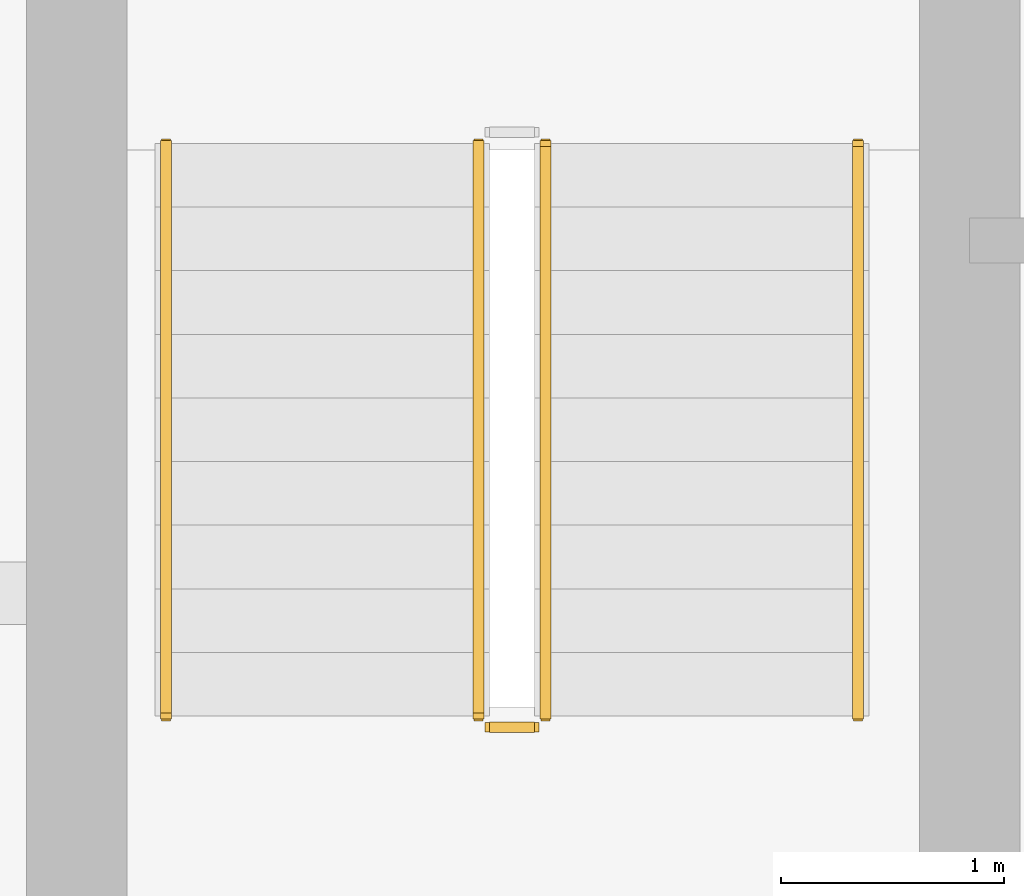
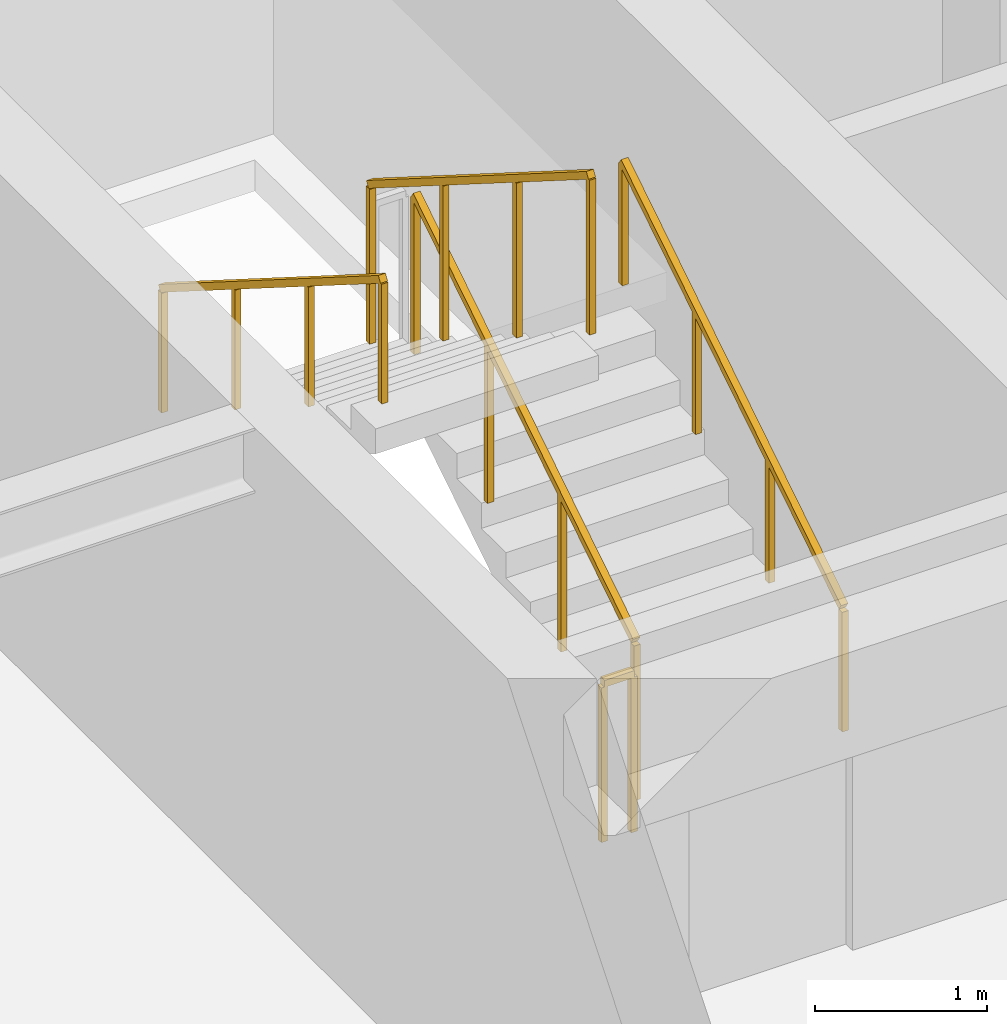
# One storey, part 25 of 27: 5 railings.
"""IFC4 building model written with IfcOpenShell, lengths in metres."""

from ifc_helpers import new_model, si_unit, direction, frame, origin, origin_2d, place, context, subcontext, project, spatial, rectangle, extrude, material, type_object, element, save


model = new_model("IFC4")

# Units and contexts
model_context = context("Model", 3, precision=1e-05, world=origin(), true_north=direction((0.0, 1.0)))
body_context = subcontext(model_context, "Body", "Model", "MODEL_VIEW")
ifc_project = project(units=[si_unit("LENGTHUNIT", "METRE"), si_unit("AREAUNIT", "SQUARE_METRE"), si_unit("VOLUMEUNIT", "CUBIC_METRE"), si_unit("PLANEANGLEUNIT", "RADIAN"), si_unit("MASSUNIT", "GRAM", prefix="KILO")], contexts=[model_context])

# Site, building, storey
site_placement = place(None, origin())
site = spatial("IfcSite", under=ifc_project, at=site_placement, CompositionType="ELEMENT")
building_placement = place(site_placement, origin())
building = spatial("IfcBuilding", under=site, at=building_placement, Name="Sarneth Arch Tower", CompositionType="ELEMENT")
storey_placement = place(building_placement, frame((0.0, 0.0, 186.60009765625)))
storey = spatial("IfcBuildingStorey", under=building, at=storey_placement, Name="L47", CompositionType="ELEMENT", Elevation=186.60009765625)

# Railings
ifc_material_1 = material(Name="Brushed Stainless Steel 304 tubular handrail", Category="steel")
railing_type_1 = type_object("IfcRailingType", Name="RAIL-HANDRAIL-900", PredefinedType="HANDRAIL", material=ifc_material_1)
railing_1_placement = place(storey_placement, frame((40.5, 41.449951171875, 0.179931640625)))
element("IfcRailing", 1, at=railing_1_placement, inside=storey, type_object=railing_type_1, Name="L47 ST-1 stair handrail 1", PredefinedType="HANDRAIL", context=body_context, shape_type="SweptSolid", body=[
    extrude(rectangle(XDim=0.048095703125, YDim=0.048095703125, at=origin_2d()), frame((0.0, 0.0, 0.8759765625), z_axis=(0.0, 0.845502289212, 0.533971796014), x_axis=(-1.0, 0.0, 0.0)), (0.0, 0.0, 1.0), 3.03369140625),
    extrude(rectangle(XDim=0.0419921875, YDim=0.0419921875, at=origin_2d()), origin(), (0.0, 0.0, 1.0), 0.851806640625),
    extrude(rectangle(XDim=0.0419921875, YDim=0.0419921875, at=origin_2d()), frame((0.0, 0.85498046875, 0.5400390625)), (0.0, 0.0, 1.0), 0.851806640625),
    extrude(rectangle(XDim=0.0419921875, YDim=0.0419921875, at=origin_2d()), frame((0.0, 1.7099609375, 1.079833984375)), (0.0, 0.0, 1.0), 0.851806640625),
    extrude(rectangle(XDim=0.0419921875, YDim=0.0419921875, at=origin_2d()), frame((0.0, 2.56494140625, 1.619873046875)), (0.0, 0.0, 1.0), 0.851806640625),
])
railing_2_placement = place(storey_placement, frame((37.39990234375, 44.014892578125, 1.97998046875)))
element("IfcRailing", 2, at=railing_2_placement, inside=storey, type_object=railing_type_1, Name="L47 ST-1 stair handrail 2", PredefinedType="HANDRAIL", context=body_context, shape_type="SweptSolid", body=[
    extrude(rectangle(XDim=0.048095703125, YDim=0.048095703125, at=origin_2d()), frame((0.0, 0.0, 0.8759765625), z_axis=(0.0, -0.845502289212, 0.533971796014), x_axis=(1.0, 0.0, 0.0)), (0.0, 0.0, 1.0), 3.03369140625),
    extrude(rectangle(XDim=0.0419921875, YDim=0.0419921875, at=origin_2d()), origin(), (0.0, 0.0, 1.0), 0.851806640625),
    extrude(rectangle(XDim=0.0419921875, YDim=0.0419921875, at=origin_2d()), frame((0.0, -0.85498046875, 0.5400390625)), (0.0, 0.0, 1.0), 0.851806640625),
    extrude(rectangle(XDim=0.0419921875, YDim=0.0419921875, at=origin_2d()), frame((0.0, -1.7099609375, 1.079833984375)), (0.0, 0.0, 1.0), 0.851806640625),
    extrude(rectangle(XDim=0.0419921875, YDim=0.0419921875, at=origin_2d()), frame((0.0, -2.56494140625, 1.619873046875)), (0.0, 0.0, 1.0), 0.851806640625),
])
ifc_material_2 = material(Name="Painted Steel S275 stair well guard", Category="steel")
railing_type_2 = type_object("IfcRailingType", Name="RAIL-STAIR-GUARD", PredefinedType="GUARDRAIL", material=ifc_material_2)
railing_3_placement = place(storey_placement, frame((39.10009765625, 41.449951171875, 0.179931640625)))
element("IfcRailing", 3, at=railing_3_placement, inside=storey, type_object=railing_type_2, Name="L47 ST-1 stair guard 1", PredefinedType="GUARDRAIL", context=body_context, shape_type="SweptSolid", body=[
    extrude(rectangle(XDim=0.048095703125, YDim=0.048095703125, at=origin_2d()), frame((0.0, 0.0, 1.1259765625), z_axis=(0.0, 0.845502289212, 0.533971796014), x_axis=(-1.0, 0.0, 0.0)), (0.0, 0.0, 1.0), 3.03369140625),
    extrude(rectangle(XDim=0.0419921875, YDim=0.0419921875, at=origin_2d()), origin(), (0.0, 0.0, 1.0), 1.101806640625),
    extrude(rectangle(XDim=0.0419921875, YDim=0.0419921875, at=origin_2d()), frame((0.0, 0.85498046875, 0.5400390625)), (0.0, 0.0, 1.0), 1.101806640625),
    extrude(rectangle(XDim=0.0419921875, YDim=0.0419921875, at=origin_2d()), frame((0.0, 1.7099609375, 1.079833984375)), (0.0, 0.0, 1.0), 1.101806640625),
    extrude(rectangle(XDim=0.0419921875, YDim=0.0419921875, at=origin_2d()), frame((0.0, 2.56494140625, 1.619873046875)), (0.0, 0.0, 1.0), 1.101806640625),
])
railing_4_placement = place(storey_placement, frame((38.800048828125, 44.014892578125, 1.97998046875)))
element("IfcRailing", 4, at=railing_4_placement, inside=storey, type_object=railing_type_2, Name="L47 ST-1 stair guard 3", PredefinedType="GUARDRAIL", context=body_context, shape_type="SweptSolid", body=[
    extrude(rectangle(XDim=0.048095703125, YDim=0.048095703125, at=origin_2d()), frame((0.0, 0.0, 1.1259765625), z_axis=(0.0, -0.845502289212, 0.533971796014), x_axis=(1.0, 0.0, 0.0)), (0.0, 0.0, 1.0), 3.03369140625),
    extrude(rectangle(XDim=0.0419921875, YDim=0.0419921875, at=origin_2d()), origin(), (0.0, 0.0, 1.0), 1.101806640625),
    extrude(rectangle(XDim=0.0419921875, YDim=0.0419921875, at=origin_2d()), frame((0.0, -0.85498046875, 0.5400390625)), (0.0, 0.0, 1.0), 1.101806640625),
    extrude(rectangle(XDim=0.0419921875, YDim=0.0419921875, at=origin_2d()), frame((0.0, -1.7099609375, 1.079833984375)), (0.0, 0.0, 1.0), 1.101806640625),
    extrude(rectangle(XDim=0.0419921875, YDim=0.0419921875, at=origin_2d()), frame((0.0, -2.56494140625, 1.619873046875)), (0.0, 0.0, 1.0), 1.101806640625),
])
railing_5_placement = place(storey_placement, frame((39.050048828125, 41.39990234375, 0.0)))
element("IfcRailing", 5, at=railing_5_placement, inside=storey, type_object=railing_type_2, Name="L47 ST-1 stair guard 4", PredefinedType="GUARDRAIL", context=body_context, shape_type="SweptSolid", body=[
    extrude(rectangle(XDim=0.048095703125, YDim=0.048095703125, at=origin_2d()), frame((0.0, 0.0, 1.1259765625), z_axis=(-1.0, 0.0, 0.0), x_axis=(0.0, -1.0, 0.0)), (0.0, 0.0, 1.0), 0.199951171875),
    extrude(rectangle(XDim=0.0419921875, YDim=0.0419921875, at=origin_2d()), origin(), (0.0, 0.0, 1.0), 1.101806640625),
    extrude(rectangle(XDim=0.0419921875, YDim=0.0419921875, at=origin_2d()), frame((-0.199951171875, 0.0, 0.0)), (0.0, 0.0, 1.0), 1.101806640625),
])

save(model, "model.ifc")
